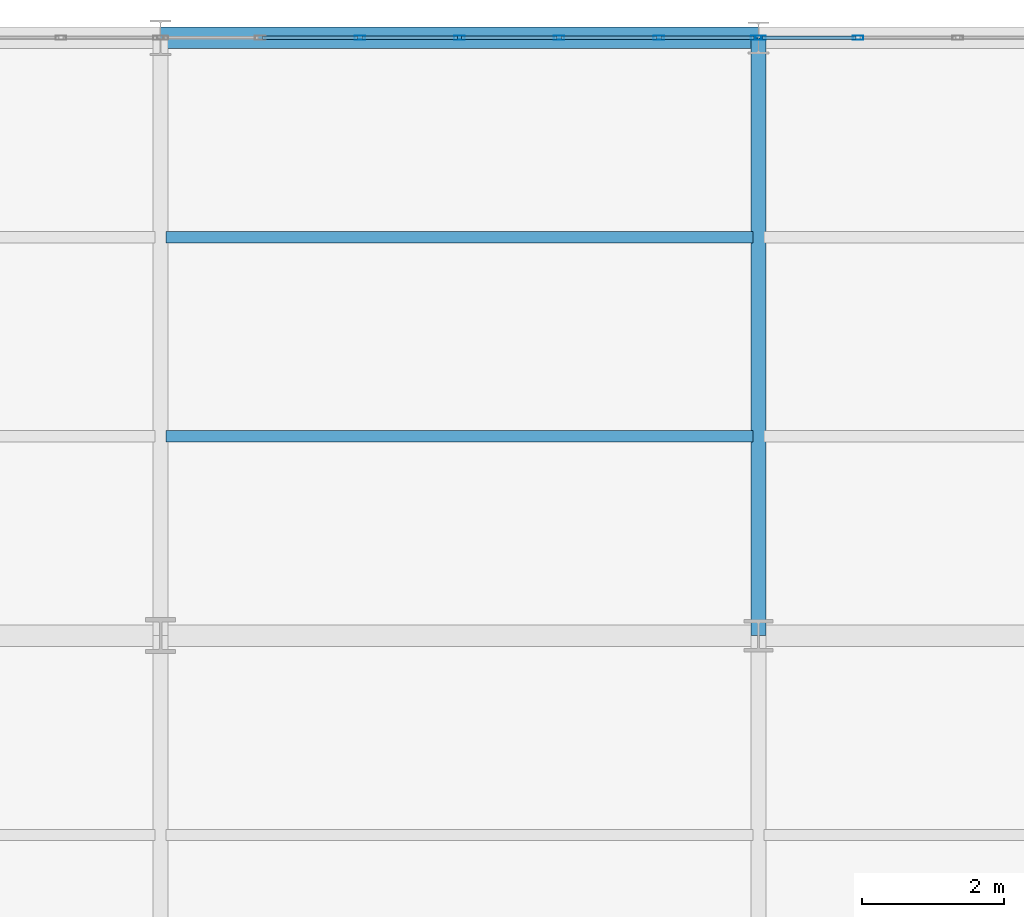
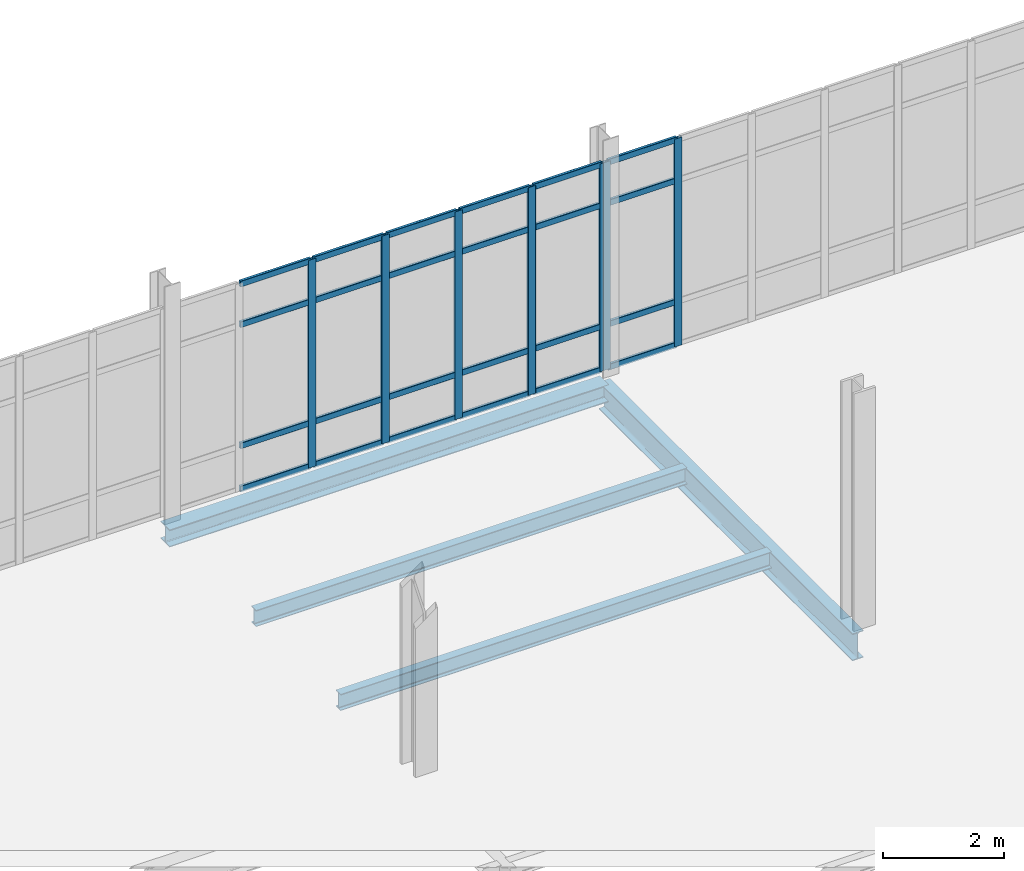
# One storey, part 92 of 145: 31 members, 4 beams, 2 elements without a shape of their own.
"""IFC4 building model written with IfcOpenShell, lengths in metres."""

from ifc_helpers import new_model, si_unit, direction, frame, origin, origin_2d, place, context, subcontext, project, spatial, hollow_rectangle, i_section, extrude, material, layer, layer_set, material_profile, profile_set, type_object, element, aggregate, save


model = new_model("IFC4")

# Units and contexts
model_context = context("Model", 3, precision=1e-05, world=origin(), true_north=direction((0.0, 1.0)))
body_context = subcontext(model_context, "Body", "Model", "MODEL_VIEW")
ifc_project = project(units=[si_unit("LENGTHUNIT", "METRE"), si_unit("AREAUNIT", "SQUARE_METRE"), si_unit("VOLUMEUNIT", "CUBIC_METRE"), si_unit("PLANEANGLEUNIT", "RADIAN"), si_unit("MASSUNIT", "GRAM", prefix="KILO")], contexts=[model_context])

# Site, building, storey
site_placement = place(None, origin())
site = spatial("IfcSite", under=ifc_project, at=site_placement, CompositionType="ELEMENT")
building_placement = place(site_placement, origin())
building = spatial("IfcBuilding", under=site, at=building_placement, Name="Qalvenar Corner Mobility Hub", CompositionType="ELEMENT")
storey_placement = place(building_placement, origin())
storey = spatial("IfcBuildingStorey", under=building, at=storey_placement, Name="L00", CompositionType="ELEMENT", Elevation=0.0)

# Beams
ifc_material_1 = material(Name="Steel S355", Category="steel")
ifc_material_profile_1 = material_profile(ifc_material_1, i_section(OverallWidth=0.2099609375, OverallDepth=0.550048828125, WebThickness=0.010986328125, FlangeThickness=0.01708984375, FilletRadius=0.02392578125, at=origin_2d()), Name="IPE550")
ifc_profile_set_1 = profile_set([ifc_material_profile_1], Name="Steel S355")
beam_type_1 = type_object("IfcBeamType", Name="BM-IPE550", PredefinedType="BEAM", material=ifc_profile_set_1)
beam_1_placement = place(storey_placement, frame((126.0, 109.199951171875, -0.4951171875), z_axis=(0.0, 1.0, 0.0), x_axis=(-1.0, 0.0, 0.0)))
element("IfcBeam", 1, at=beam_1_placement, inside=storey, type_object=beam_type_1, Name="Primary Steel Girder GY-0640", PredefinedType="BEAM", context=body_context, shape_type="SweptSolid", body=[
    extrude(i_section(OverallWidth=0.2099609375, OverallDepth=0.550048828125, WebThickness=0.010986328125, FlangeThickness=0.01708984375, FilletRadius=0.02392578125, at=origin_2d()), origin(), (0.0, 0.0, 1.0), 8.400146484375),
])
ifc_material_profile_2 = material_profile(ifc_material_1, i_section(OverallWidth=0.159912109375, OverallDepth=0.330078125, WebThickness=0.007568359375, FlangeThickness=0.011474609375, FilletRadius=0.01806640625, at=origin_2d()), Name="IPE330")
ifc_profile_set_2 = profile_set([ifc_material_profile_2], Name="Steel S355")
beam_type_2 = type_object("IfcBeamType", Name="BM-JST330", PredefinedType="JOIST", material=ifc_profile_set_2)
for number, where, z_axis, x_axis, name in (
    (2, (117.677978515625, 112.0, -0.385009765625), (1.0, 0.0, 0.0), (0.0, 1.0, 0.0), "Composite Floor Joist J-0739"),
    (3, (117.677978515625, 114.800048828125, -0.385009765625), (1.0, 0.0, 0.0), (0.0, 1.0, 0.0), "Composite Floor Joist J-0740"),
):
    element("IfcBeam", number, at=place(storey_placement, frame(where, z_axis=z_axis, x_axis=x_axis)), inside=storey, type_object=beam_type_2, Name=name, PredefinedType="JOIST", context=body_context, shape_type="SweptSolid", body=[
        extrude(i_section(OverallWidth=0.159912109375, OverallDepth=0.330078125, WebThickness=0.007568359375, FlangeThickness=0.011474609375, FilletRadius=0.01806640625, at=origin_2d()), origin(), (0.0, 0.0, 1.0), 8.244140625),
    ])
ifc_material_profile_3 = material_profile(ifc_material_1, i_section(OverallWidth=0.300048828125, OverallDepth=0.35009765625, WebThickness=0.010009765625, FlangeThickness=0.017578125, FilletRadius=0.027099609375, at=origin_2d()), Name="HEA360")
ifc_profile_set_3 = profile_set([ifc_material_profile_3], Name="Steel S355")
beam_type_3 = type_object("IfcBeamType", Name="BM-SPN360", PredefinedType="SPANDREL", material=ifc_profile_set_3)
beam_2_placement = place(storey_placement, frame((117.60009765625, 117.60009765625, -0.39501953125), z_axis=(1.0, 0.0, 0.0), x_axis=(0.0, 1.0, 0.0)))
element("IfcBeam", 4, at=beam_2_placement, inside=storey, type_object=beam_type_3, Name="Primary Steel Girder GX-0587", PredefinedType="SPANDREL", context=body_context, shape_type="SweptSolid", body=[
    extrude(i_section(OverallWidth=0.300048828125, OverallDepth=0.35009765625, WebThickness=0.010009765625, FlangeThickness=0.017578125, FilletRadius=0.027099609375, at=origin_2d()), origin(), (0.0, 0.0, 1.0), 8.39990234375),
])

# Curtain wall, members
ifc_material_2 = material(Name="Anodised Aluminium and Low-E Glazing", Category="aluminium")
ifc_layer = layer(ifc_material_2, 0.14990234375)
ifc_layer_set = layer_set([ifc_layer], Name="Anodised Aluminium and Low-E Glazing")
curtain_wall_type = type_object("IfcCurtainWallType", Name="CW-MOB-84X46", PredefinedType="NOTDEFINED", material=ifc_layer_set)
curtain_wall_1_placement = place(storey_placement, origin())
curtain_wall_1 = element("IfcCurtainWall", 5, at=curtain_wall_1_placement, inside=storey, type_object=curtain_wall_type, Name="Glazed Curtain Wall CW-V4-L00-N7", PredefinedType="NOTDEFINED")
ifc_material_3 = material(Name="Anodised Aluminium 6063-T6", Category="aluminium")
ifc_material_profile_4 = material_profile(ifc_material_3, hollow_rectangle(XDim=0.06005859375, YDim=0.14990234375, WallThickness=0.00390625, InnerFilletRadius=0.00390625, OuterFilletRadius=0.008056640625, at=origin_2d()), Name="RHS150x60x4")
ifc_profile_set_4 = profile_set([ifc_material_profile_4], Name="Anodised Aluminium 6063-T6")
member_type_1 = type_object("IfcMemberType", Name="CW-MUL150", PredefinedType="MULLION", material=ifc_profile_set_4)
member_1_placement = place(storey_placement, frame((125.969970703125, 117.60009765625, 0.0), z_axis=(0.0, 0.0, 1.0), x_axis=(0.0, -1.0, 0.0)))
member_1 = element("IfcMember", 6, at=member_1_placement, type_object=member_type_1, Name="CW-03 mullion 1", PredefinedType="MULLION", context=body_context, shape_type="SweptSolid", body=[
    extrude(hollow_rectangle(XDim=0.06005859375, YDim=0.14990234375, WallThickness=0.00390625, InnerFilletRadius=0.00390625, OuterFilletRadius=0.008056640625, at=origin_2d()), origin(), (0.0, 0.0, 1.0), 4.199951171875),
])
member_2_placement = place(storey_placement, frame((124.60009765625, 117.60009765625, 0.0), z_axis=(0.0, 0.0, 1.0), x_axis=(0.0, -1.0, 0.0)))
member_2 = element("IfcMember", 7, at=member_2_placement, type_object=member_type_1, Name="CW-03 mullion 2", PredefinedType="MULLION", context=body_context, shape_type="SweptSolid", body=[
    extrude(hollow_rectangle(XDim=0.06005859375, YDim=0.14990234375, WallThickness=0.00390625, InnerFilletRadius=0.00390625, OuterFilletRadius=0.008056640625, at=origin_2d()), origin(), (0.0, 0.0, 1.0), 4.199951171875),
])
member_3_placement = place(storey_placement, frame((123.199951171875, 117.60009765625, 0.0), z_axis=(0.0, 0.0, 1.0), x_axis=(0.0, -1.0, 0.0)))
member_3 = element("IfcMember", 8, at=member_3_placement, type_object=member_type_1, Name="CW-03 mullion 3", PredefinedType="MULLION", context=body_context, shape_type="SweptSolid", body=[
    extrude(hollow_rectangle(XDim=0.06005859375, YDim=0.14990234375, WallThickness=0.00390625, InnerFilletRadius=0.00390625, OuterFilletRadius=0.008056640625, at=origin_2d()), origin(), (0.0, 0.0, 1.0), 4.199951171875),
])
member_4_placement = place(storey_placement, frame((121.800048828125, 117.60009765625, 0.0), z_axis=(0.0, 0.0, 1.0), x_axis=(0.0, -1.0, 0.0)))
member_4 = element("IfcMember", 9, at=member_4_placement, type_object=member_type_1, Name="CW-03 mullion 4", PredefinedType="MULLION", context=body_context, shape_type="SweptSolid", body=[
    extrude(hollow_rectangle(XDim=0.06005859375, YDim=0.14990234375, WallThickness=0.00390625, InnerFilletRadius=0.00390625, OuterFilletRadius=0.008056640625, at=origin_2d()), origin(), (0.0, 0.0, 1.0), 4.199951171875),
])
member_5_placement = place(storey_placement, frame((120.39990234375, 117.60009765625, 0.0), z_axis=(0.0, 0.0, 1.0), x_axis=(0.0, -1.0, 0.0)))
member_5 = element("IfcMember", 10, at=member_5_placement, type_object=member_type_1, Name="CW-03 mullion 5", PredefinedType="MULLION", context=body_context, shape_type="SweptSolid", body=[
    extrude(hollow_rectangle(XDim=0.06005859375, YDim=0.14990234375, WallThickness=0.00390625, InnerFilletRadius=0.00390625, OuterFilletRadius=0.008056640625, at=origin_2d()), origin(), (0.0, 0.0, 1.0), 4.199951171875),
])

curtain_wall_2_placement = place(storey_placement, origin())
curtain_wall_2 = element("IfcCurtainWall", 11, at=curtain_wall_2_placement, inside=storey, type_object=curtain_wall_type, Name="Glazed Curtain Wall CW-V4-L00-N8", PredefinedType="NOTDEFINED")
member_6_placement = place(storey_placement, frame((127.39990234375, 117.60009765625, 0.0), z_axis=(0.0, 0.0, 1.0), x_axis=(0.0, -1.0, 0.0)))
member_6 = element("IfcMember", 12, at=member_6_placement, type_object=member_type_1, Name="CW-03 mullion 6", PredefinedType="MULLION", context=body_context, shape_type="SweptSolid", body=[
    extrude(hollow_rectangle(XDim=0.06005859375, YDim=0.14990234375, WallThickness=0.00390625, InnerFilletRadius=0.00390625, OuterFilletRadius=0.008056640625, at=origin_2d()), origin(), (0.0, 0.0, 1.0), 4.199951171875),
])
member_7_placement = place(storey_placement, frame((126.030029296875, 117.60009765625, 0.0), z_axis=(0.0, 0.0, 1.0), x_axis=(0.0, -1.0, 0.0)))
member_7 = element("IfcMember", 13, at=member_7_placement, type_object=member_type_1, Name="CW-03 mullion 7", PredefinedType="MULLION", context=body_context, shape_type="SweptSolid", body=[
    extrude(hollow_rectangle(XDim=0.06005859375, YDim=0.14990234375, WallThickness=0.00390625, InnerFilletRadius=0.00390625, OuterFilletRadius=0.008056640625, at=origin_2d()), origin(), (0.0, 0.0, 1.0), 4.199951171875),
])

# Member
ifc_material_profile_5 = material_profile(ifc_material_3, hollow_rectangle(XDim=0.054931640625, YDim=0.1201171875, WallThickness=0.00341796875, InnerFilletRadius=0.00341796875, OuterFilletRadius=0.007080078125, at=origin_2d()), Name="RHS120x55x3.5")
ifc_profile_set_5 = profile_set([ifc_material_profile_5], Name="Anodised Aluminium 6063-T6")
member_type_2 = type_object("IfcMemberType", Name="CW-TRN120", PredefinedType="USERDEFINED", material=ifc_profile_set_5)
member_8_placement = place(storey_placement, frame((125.93994140625, 117.60009765625, 0.027587890625), z_axis=(-1.0, 0.0, 0.0), x_axis=(0.0, -1.0, 0.0)))
member_8 = element("IfcMember", 14, at=member_8_placement, type_object=member_type_2, Name="CW-03 transom 1.1", ObjectType="TRANSOM", PredefinedType="USERDEFINED", context=body_context, shape_type="SweptSolid", body=[
    extrude(hollow_rectangle(XDim=0.054931640625, YDim=0.1201171875, WallThickness=0.00341796875, InnerFilletRadius=0.00341796875, OuterFilletRadius=0.007080078125, at=origin_2d()), origin(), (0.0, 0.0, 1.0), 1.31005859375),
])

member_9_placement = place(storey_placement, frame((125.93994140625, 117.60009765625, 0.89990234375), z_axis=(-1.0, 0.0, 0.0), x_axis=(0.0, -1.0, 0.0)))
member_9 = element("IfcMember", 15, at=member_9_placement, type_object=member_type_2, Name="CW-03 transom 1.2", ObjectType="TRANSOM", PredefinedType="USERDEFINED", context=body_context, shape_type="SweptSolid", body=[
    extrude(hollow_rectangle(XDim=0.054931640625, YDim=0.1201171875, WallThickness=0.00341796875, InnerFilletRadius=0.00341796875, OuterFilletRadius=0.007080078125, at=origin_2d()), origin(), (0.0, 0.0, 1.0), 1.31005859375),
])

member_10_placement = place(storey_placement, frame((125.93994140625, 117.60009765625, 3.35009765625), z_axis=(-1.0, 0.0, 0.0), x_axis=(0.0, -1.0, 0.0)))
member_10 = element("IfcMember", 16, at=member_10_placement, type_object=member_type_2, Name="CW-03 transom 1.3", ObjectType="TRANSOM", PredefinedType="USERDEFINED", context=body_context, shape_type="SweptSolid", body=[
    extrude(hollow_rectangle(XDim=0.054931640625, YDim=0.1201171875, WallThickness=0.00341796875, InnerFilletRadius=0.00341796875, OuterFilletRadius=0.007080078125, at=origin_2d()), origin(), (0.0, 0.0, 1.0), 1.31005859375),
])

member_11_placement = place(storey_placement, frame((125.93994140625, 117.60009765625, 4.172607421875), z_axis=(-1.0, 0.0, 0.0), x_axis=(0.0, -1.0, 0.0)))
member_11 = element("IfcMember", 17, at=member_11_placement, type_object=member_type_2, Name="CW-03 transom 1.4", ObjectType="TRANSOM", PredefinedType="USERDEFINED", context=body_context, shape_type="SweptSolid", body=[
    extrude(hollow_rectangle(XDim=0.054931640625, YDim=0.1201171875, WallThickness=0.00341796875, InnerFilletRadius=0.00341796875, OuterFilletRadius=0.007080078125, at=origin_2d()), origin(), (0.0, 0.0, 1.0), 1.31005859375),
])

member_12_placement = place(storey_placement, frame((124.570068359375, 117.60009765625, 0.027587890625), z_axis=(-1.0, 0.0, 0.0), x_axis=(0.0, -1.0, 0.0)))
member_12 = element("IfcMember", 18, at=member_12_placement, type_object=member_type_2, Name="CW-03 transom 2.1", ObjectType="TRANSOM", PredefinedType="USERDEFINED", context=body_context, shape_type="SweptSolid", body=[
    extrude(hollow_rectangle(XDim=0.054931640625, YDim=0.1201171875, WallThickness=0.00341796875, InnerFilletRadius=0.00341796875, OuterFilletRadius=0.007080078125, at=origin_2d()), origin(), (0.0, 0.0, 1.0), 1.340087890625),
])

member_13_placement = place(storey_placement, frame((124.570068359375, 117.60009765625, 0.89990234375), z_axis=(-1.0, 0.0, 0.0), x_axis=(0.0, -1.0, 0.0)))
member_13 = element("IfcMember", 19, at=member_13_placement, type_object=member_type_2, Name="CW-03 transom 2.2", ObjectType="TRANSOM", PredefinedType="USERDEFINED", context=body_context, shape_type="SweptSolid", body=[
    extrude(hollow_rectangle(XDim=0.054931640625, YDim=0.1201171875, WallThickness=0.00341796875, InnerFilletRadius=0.00341796875, OuterFilletRadius=0.007080078125, at=origin_2d()), origin(), (0.0, 0.0, 1.0), 1.340087890625),
])

member_14_placement = place(storey_placement, frame((124.570068359375, 117.60009765625, 3.35009765625), z_axis=(-1.0, 0.0, 0.0), x_axis=(0.0, -1.0, 0.0)))
member_14 = element("IfcMember", 20, at=member_14_placement, type_object=member_type_2, Name="CW-03 transom 2.3", ObjectType="TRANSOM", PredefinedType="USERDEFINED", context=body_context, shape_type="SweptSolid", body=[
    extrude(hollow_rectangle(XDim=0.054931640625, YDim=0.1201171875, WallThickness=0.00341796875, InnerFilletRadius=0.00341796875, OuterFilletRadius=0.007080078125, at=origin_2d()), origin(), (0.0, 0.0, 1.0), 1.340087890625),
])

member_15_placement = place(storey_placement, frame((124.570068359375, 117.60009765625, 4.172607421875), z_axis=(-1.0, 0.0, 0.0), x_axis=(0.0, -1.0, 0.0)))
member_15 = element("IfcMember", 21, at=member_15_placement, type_object=member_type_2, Name="CW-03 transom 2.4", ObjectType="TRANSOM", PredefinedType="USERDEFINED", context=body_context, shape_type="SweptSolid", body=[
    extrude(hollow_rectangle(XDim=0.054931640625, YDim=0.1201171875, WallThickness=0.00341796875, InnerFilletRadius=0.00341796875, OuterFilletRadius=0.007080078125, at=origin_2d()), origin(), (0.0, 0.0, 1.0), 1.340087890625),
])

member_16_placement = place(storey_placement, frame((123.169921875, 117.60009765625, 0.027587890625), z_axis=(-1.0, 0.0, 0.0), x_axis=(0.0, -1.0, 0.0)))
member_16 = element("IfcMember", 22, at=member_16_placement, type_object=member_type_2, Name="CW-03 transom 3.1", ObjectType="TRANSOM", PredefinedType="USERDEFINED", context=body_context, shape_type="SweptSolid", body=[
    extrude(hollow_rectangle(XDim=0.054931640625, YDim=0.1201171875, WallThickness=0.00341796875, InnerFilletRadius=0.00341796875, OuterFilletRadius=0.007080078125, at=origin_2d()), origin(), (0.0, 0.0, 1.0), 1.33984375),
])

member_17_placement = place(storey_placement, frame((123.169921875, 117.60009765625, 0.89990234375), z_axis=(-1.0, 0.0, 0.0), x_axis=(0.0, -1.0, 0.0)))
member_17 = element("IfcMember", 23, at=member_17_placement, type_object=member_type_2, Name="CW-03 transom 3.2", ObjectType="TRANSOM", PredefinedType="USERDEFINED", context=body_context, shape_type="SweptSolid", body=[
    extrude(hollow_rectangle(XDim=0.054931640625, YDim=0.1201171875, WallThickness=0.00341796875, InnerFilletRadius=0.00341796875, OuterFilletRadius=0.007080078125, at=origin_2d()), origin(), (0.0, 0.0, 1.0), 1.33984375),
])

member_18_placement = place(storey_placement, frame((123.169921875, 117.60009765625, 3.35009765625), z_axis=(-1.0, 0.0, 0.0), x_axis=(0.0, -1.0, 0.0)))
member_18 = element("IfcMember", 24, at=member_18_placement, type_object=member_type_2, Name="CW-03 transom 3.3", ObjectType="TRANSOM", PredefinedType="USERDEFINED", context=body_context, shape_type="SweptSolid", body=[
    extrude(hollow_rectangle(XDim=0.054931640625, YDim=0.1201171875, WallThickness=0.00341796875, InnerFilletRadius=0.00341796875, OuterFilletRadius=0.007080078125, at=origin_2d()), origin(), (0.0, 0.0, 1.0), 1.33984375),
])

member_19_placement = place(storey_placement, frame((123.169921875, 117.60009765625, 4.172607421875), z_axis=(-1.0, 0.0, 0.0), x_axis=(0.0, -1.0, 0.0)))
member_19 = element("IfcMember", 25, at=member_19_placement, type_object=member_type_2, Name="CW-03 transom 3.4", ObjectType="TRANSOM", PredefinedType="USERDEFINED", context=body_context, shape_type="SweptSolid", body=[
    extrude(hollow_rectangle(XDim=0.054931640625, YDim=0.1201171875, WallThickness=0.00341796875, InnerFilletRadius=0.00341796875, OuterFilletRadius=0.007080078125, at=origin_2d()), origin(), (0.0, 0.0, 1.0), 1.33984375),
])

member_20_placement = place(storey_placement, frame((121.77001953125, 117.60009765625, 0.027587890625), z_axis=(-1.0, 0.0, 0.0), x_axis=(0.0, -1.0, 0.0)))
member_20 = element("IfcMember", 26, at=member_20_placement, type_object=member_type_2, Name="CW-03 transom 4.1", ObjectType="TRANSOM", PredefinedType="USERDEFINED", context=body_context, shape_type="SweptSolid", body=[
    extrude(hollow_rectangle(XDim=0.054931640625, YDim=0.1201171875, WallThickness=0.00341796875, InnerFilletRadius=0.00341796875, OuterFilletRadius=0.007080078125, at=origin_2d()), origin(), (0.0, 0.0, 1.0), 1.340087890625),
])

member_21_placement = place(storey_placement, frame((121.77001953125, 117.60009765625, 0.89990234375), z_axis=(-1.0, 0.0, 0.0), x_axis=(0.0, -1.0, 0.0)))
member_21 = element("IfcMember", 27, at=member_21_placement, type_object=member_type_2, Name="CW-03 transom 4.2", ObjectType="TRANSOM", PredefinedType="USERDEFINED", context=body_context, shape_type="SweptSolid", body=[
    extrude(hollow_rectangle(XDim=0.054931640625, YDim=0.1201171875, WallThickness=0.00341796875, InnerFilletRadius=0.00341796875, OuterFilletRadius=0.007080078125, at=origin_2d()), origin(), (0.0, 0.0, 1.0), 1.340087890625),
])

member_22_placement = place(storey_placement, frame((121.77001953125, 117.60009765625, 3.35009765625), z_axis=(-1.0, 0.0, 0.0), x_axis=(0.0, -1.0, 0.0)))
member_22 = element("IfcMember", 28, at=member_22_placement, type_object=member_type_2, Name="CW-03 transom 4.3", ObjectType="TRANSOM", PredefinedType="USERDEFINED", context=body_context, shape_type="SweptSolid", body=[
    extrude(hollow_rectangle(XDim=0.054931640625, YDim=0.1201171875, WallThickness=0.00341796875, InnerFilletRadius=0.00341796875, OuterFilletRadius=0.007080078125, at=origin_2d()), origin(), (0.0, 0.0, 1.0), 1.340087890625),
])

member_23_placement = place(storey_placement, frame((121.77001953125, 117.60009765625, 4.172607421875), z_axis=(-1.0, 0.0, 0.0), x_axis=(0.0, -1.0, 0.0)))
member_23 = element("IfcMember", 29, at=member_23_placement, type_object=member_type_2, Name="CW-03 transom 4.4", ObjectType="TRANSOM", PredefinedType="USERDEFINED", context=body_context, shape_type="SweptSolid", body=[
    extrude(hollow_rectangle(XDim=0.054931640625, YDim=0.1201171875, WallThickness=0.00341796875, InnerFilletRadius=0.00341796875, OuterFilletRadius=0.007080078125, at=origin_2d()), origin(), (0.0, 0.0, 1.0), 1.340087890625),
])

member_24_placement = place(storey_placement, frame((120.3701171875, 117.60009765625, 0.027587890625), z_axis=(-1.0, 0.0, 0.0), x_axis=(0.0, -1.0, 0.0)))
member_24 = element("IfcMember", 30, at=member_24_placement, type_object=member_type_2, Name="CW-03 transom 5.1", ObjectType="TRANSOM", PredefinedType="USERDEFINED", context=body_context, shape_type="SweptSolid", body=[
    extrude(hollow_rectangle(XDim=0.054931640625, YDim=0.1201171875, WallThickness=0.00341796875, InnerFilletRadius=0.00341796875, OuterFilletRadius=0.007080078125, at=origin_2d()), origin(), (0.0, 0.0, 1.0), 1.340087890625),
])

member_25_placement = place(storey_placement, frame((120.3701171875, 117.60009765625, 0.89990234375), z_axis=(-1.0, 0.0, 0.0), x_axis=(0.0, -1.0, 0.0)))
member_25 = element("IfcMember", 31, at=member_25_placement, type_object=member_type_2, Name="CW-03 transom 5.2", ObjectType="TRANSOM", PredefinedType="USERDEFINED", context=body_context, shape_type="SweptSolid", body=[
    extrude(hollow_rectangle(XDim=0.054931640625, YDim=0.1201171875, WallThickness=0.00341796875, InnerFilletRadius=0.00341796875, OuterFilletRadius=0.007080078125, at=origin_2d()), origin(), (0.0, 0.0, 1.0), 1.340087890625),
])

member_26_placement = place(storey_placement, frame((120.3701171875, 117.60009765625, 3.35009765625), z_axis=(-1.0, 0.0, 0.0), x_axis=(0.0, -1.0, 0.0)))
member_26 = element("IfcMember", 32, at=member_26_placement, type_object=member_type_2, Name="CW-03 transom 5.3", ObjectType="TRANSOM", PredefinedType="USERDEFINED", context=body_context, shape_type="SweptSolid", body=[
    extrude(hollow_rectangle(XDim=0.054931640625, YDim=0.1201171875, WallThickness=0.00341796875, InnerFilletRadius=0.00341796875, OuterFilletRadius=0.007080078125, at=origin_2d()), origin(), (0.0, 0.0, 1.0), 1.340087890625),
])

member_27_placement = place(storey_placement, frame((120.3701171875, 117.60009765625, 4.172607421875), z_axis=(-1.0, 0.0, 0.0), x_axis=(0.0, -1.0, 0.0)))
member_27 = element("IfcMember", 33, at=member_27_placement, type_object=member_type_2, Name="CW-03 transom 5.4", ObjectType="TRANSOM", PredefinedType="USERDEFINED", context=body_context, shape_type="SweptSolid", body=[
    extrude(hollow_rectangle(XDim=0.054931640625, YDim=0.1201171875, WallThickness=0.00341796875, InnerFilletRadius=0.00341796875, OuterFilletRadius=0.007080078125, at=origin_2d()), origin(), (0.0, 0.0, 1.0), 1.340087890625),
])

aggregate(curtain_wall_1, [member_1, member_2, member_3, member_4, member_5, member_8, member_9, member_10, member_11, member_12, member_13, member_14, member_15, member_16, member_17, member_18, member_19, member_20, member_21, member_22, member_23, member_24, member_25, member_26, member_27])

member_28_placement = place(storey_placement, frame((127.3701171875, 117.60009765625, 0.027587890625), z_axis=(-1.0, 0.0, 0.0), x_axis=(0.0, -1.0, 0.0)))
member_28 = element("IfcMember", 34, at=member_28_placement, type_object=member_type_2, Name="CW-03 transom 6.1", ObjectType="TRANSOM", PredefinedType="USERDEFINED", context=body_context, shape_type="SweptSolid", body=[
    extrude(hollow_rectangle(XDim=0.054931640625, YDim=0.1201171875, WallThickness=0.00341796875, InnerFilletRadius=0.00341796875, OuterFilletRadius=0.007080078125, at=origin_2d()), origin(), (0.0, 0.0, 1.0), 1.31005859375),
])

member_29_placement = place(storey_placement, frame((127.3701171875, 117.60009765625, 0.89990234375), z_axis=(-1.0, 0.0, 0.0), x_axis=(0.0, -1.0, 0.0)))
member_29 = element("IfcMember", 35, at=member_29_placement, type_object=member_type_2, Name="CW-03 transom 6.2", ObjectType="TRANSOM", PredefinedType="USERDEFINED", context=body_context, shape_type="SweptSolid", body=[
    extrude(hollow_rectangle(XDim=0.054931640625, YDim=0.1201171875, WallThickness=0.00341796875, InnerFilletRadius=0.00341796875, OuterFilletRadius=0.007080078125, at=origin_2d()), origin(), (0.0, 0.0, 1.0), 1.31005859375),
])

member_30_placement = place(storey_placement, frame((127.3701171875, 117.60009765625, 3.35009765625), z_axis=(-1.0, 0.0, 0.0), x_axis=(0.0, -1.0, 0.0)))
member_30 = element("IfcMember", 36, at=member_30_placement, type_object=member_type_2, Name="CW-03 transom 6.3", ObjectType="TRANSOM", PredefinedType="USERDEFINED", context=body_context, shape_type="SweptSolid", body=[
    extrude(hollow_rectangle(XDim=0.054931640625, YDim=0.1201171875, WallThickness=0.00341796875, InnerFilletRadius=0.00341796875, OuterFilletRadius=0.007080078125, at=origin_2d()), origin(), (0.0, 0.0, 1.0), 1.31005859375),
])

member_31_placement = place(storey_placement, frame((127.3701171875, 117.60009765625, 4.172607421875), z_axis=(-1.0, 0.0, 0.0), x_axis=(0.0, -1.0, 0.0)))
member_31 = element("IfcMember", 37, at=member_31_placement, type_object=member_type_2, Name="CW-03 transom 6.4", ObjectType="TRANSOM", PredefinedType="USERDEFINED", context=body_context, shape_type="SweptSolid", body=[
    extrude(hollow_rectangle(XDim=0.054931640625, YDim=0.1201171875, WallThickness=0.00341796875, InnerFilletRadius=0.00341796875, OuterFilletRadius=0.007080078125, at=origin_2d()), origin(), (0.0, 0.0, 1.0), 1.31005859375),
])

aggregate(curtain_wall_2, [member_6, member_7, member_28, member_29, member_30, member_31])

save(model, "model.ifc")
